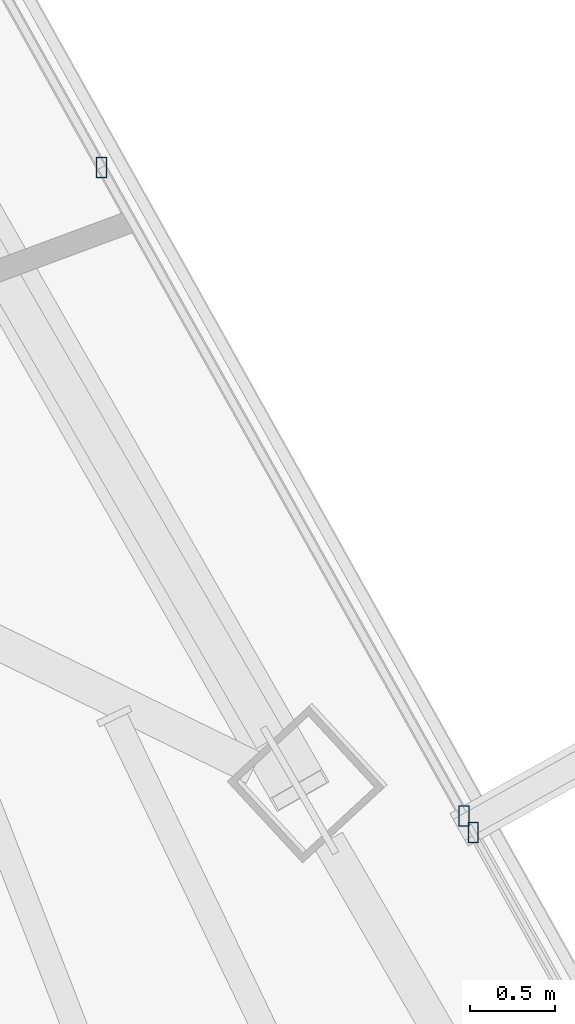
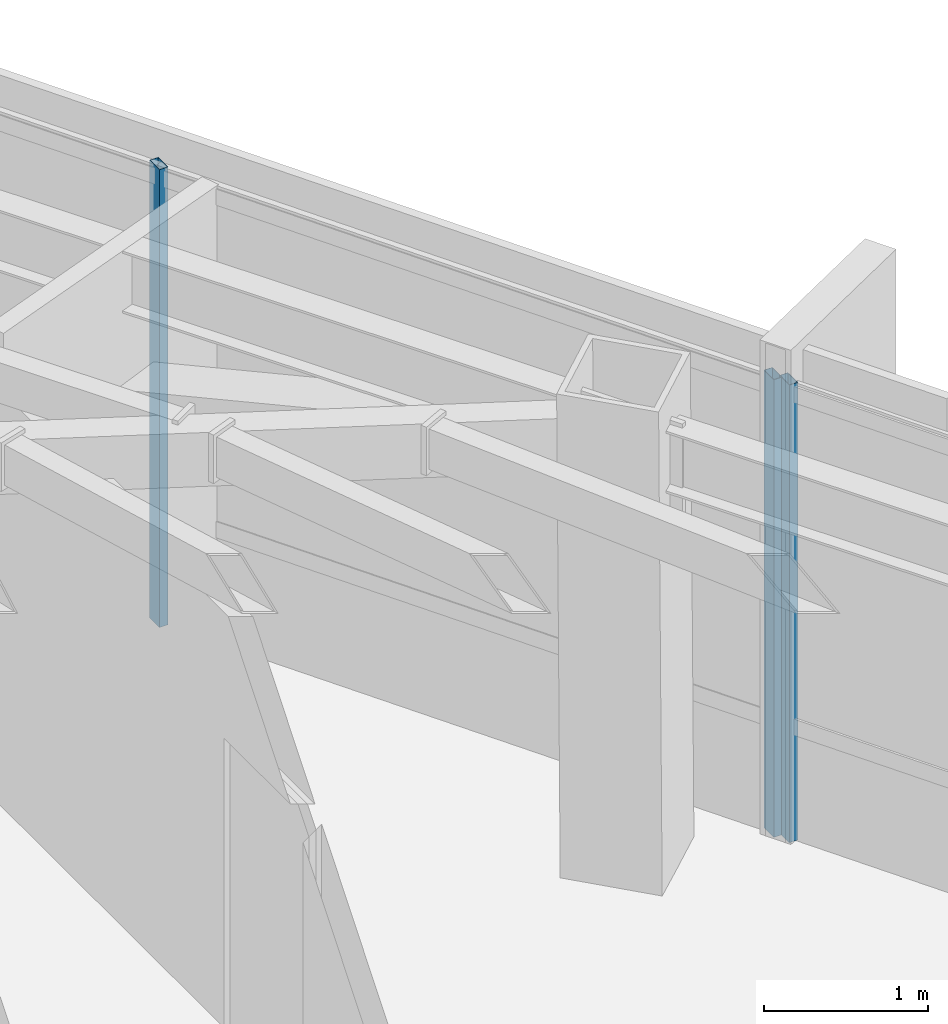
# One storey, part 28 of 45: 3 members, 2 elements without a shape of their own.
"""IFC4 building model written with IfcOpenShell, lengths in metres."""

from ifc_helpers import new_model, si_unit, direction, frame, origin, origin_2d, place, context, subcontext, project, spatial, hollow_rectangle, extrude, source, transform, mapped, material, material_profile, profile_set, type_object, type_shapes, element, aggregate, save


model = new_model("IFC4")

# Units and contexts
model_context = context("Model", 3, precision=1e-05, world=origin(), true_north=direction((0.0, 1.0)))
body_context = subcontext(model_context, "Body", "Model", "MODEL_VIEW")
ifc_project = project(units=[si_unit("LENGTHUNIT", "METRE"), si_unit("AREAUNIT", "SQUARE_METRE"), si_unit("VOLUMEUNIT", "CUBIC_METRE"), si_unit("PLANEANGLEUNIT", "RADIAN"), si_unit("MASSUNIT", "GRAM", prefix="KILO")], contexts=[model_context])

# Site, building, storey
site_placement = place(None, origin())
site = spatial("IfcSite", under=ifc_project, at=site_placement, CompositionType="ELEMENT")
building_placement = place(site_placement, origin())
building = spatial("IfcBuilding", under=site, at=building_placement, Name="Caelisora Broadcast Tower", CompositionType="ELEMENT")
storey_placement = place(building_placement, frame((0.0, 0.0, 262.699951171875)))
storey = spatial("IfcBuildingStorey", under=building, at=storey_placement, Name="L69", CompositionType="ELEMENT", Elevation=262.699951171875)

# Curtain wall, members
ifc_material_1 = material(Name="Unitised Aluminium Insulated Shadow-Box Spandrel Curtain Wall", Category="aluminium")
curtain_wall_type_1 = type_object("IfcCurtainWallType", Name="CW-SP3", PredefinedType="NOTDEFINED", material=ifc_material_1)
curtain_wall_1_placement = place(storey_placement, origin())
curtain_wall_1 = element("IfcCurtainWall", 1, at=curtain_wall_1_placement, inside=storey, type_object=curtain_wall_type_1, Name="L69 curtain wall CW-SP3", PredefinedType="NOTDEFINED")
ifc_material_2 = material(Name="Aluminium 6063-T6 Anodised Terracotta Bronze", Category="aluminium")
ifc_material_profile = material_profile(ifc_material_2, hollow_rectangle(XDim=0.06005859375, YDim=0.1201171875, WallThickness=0.0029296875, at=origin_2d()), Name="Aluminium 6063-T6 Anodised Terracotta Bronze")
ifc_profile_set = profile_set([ifc_material_profile], Name="Aluminium 6063-T6 Anodised Terracotta Bronze")
member_type = type_object("IfcMemberType", Name="CWM-04", PredefinedType="MULLION", material=ifc_profile_set)
shared_shape = source(origin(), body_context, "Body", "SweptSolid", [
    extrude(hollow_rectangle(XDim=0.06005859375, YDim=0.1201171875, WallThickness=0.0029296875, at=origin_2d()), origin(), (0.0, 0.0, 1.0), 3.400146484375),
])
type_shapes(member_type, [shared_shape])
member_1_placement = place(storey_placement, frame((52.347900390625, 29.730224609375, 0.0), z_axis=(0.0, 0.0, 1.0), x_axis=(1.0, 0.0, 0.0)))
member_1 = element("IfcMember", 2, at=member_1_placement, type_object=member_type, Name="L69-CW-B02 mullion #2", PredefinedType="MULLION", context=body_context, shape_type="MappedRepresentation", body=[
    mapped(shared_shape, transform((0.0, 0.0, 0.0), scale=1.0)),
])
member_2_placement = place(storey_placement, frame((54.470703125, 25.931640625, 0.0), z_axis=(0.0, 0.0, 1.0), x_axis=(1.0, 0.0, 0.0)))
member_2 = element("IfcMember", 3, at=member_2_placement, type_object=member_type, Name="L69-CW-B02 mullion #3", PredefinedType="MULLION", context=body_context, shape_type="MappedRepresentation", body=[
    mapped(shared_shape, transform((0.0, 0.0, 0.0), scale=1.0)),
])
aggregate(curtain_wall_1, [member_1, member_2])

# Curtain wall, member
ifc_material_3 = material(Name="Unitised Aluminium and Low-E Glass Curtain Wall", Category="glass")
curtain_wall_type_2 = type_object("IfcCurtainWallType", Name="CW-Z5", PredefinedType="NOTDEFINED", material=ifc_material_3)
curtain_wall_2_placement = place(storey_placement, origin())
curtain_wall_2 = element("IfcCurtainWall", 4, at=curtain_wall_2_placement, inside=storey, type_object=curtain_wall_type_2, Name="L69 curtain wall CW-Z5", PredefinedType="NOTDEFINED")
member_3_placement = place(storey_placement, frame((54.5244140625, 25.835693359375, 0.0), z_axis=(0.0, 0.0, 1.0), x_axis=(1.0, 0.0, 0.0)))
member_3 = element("IfcMember", 5, at=member_3_placement, type_object=member_type, Name="L69-CW-B03 mullion #0", PredefinedType="MULLION", context=body_context, shape_type="MappedRepresentation", body=[
    mapped(shared_shape, transform((0.0, 0.0, 0.0), scale=1.0)),
])
aggregate(curtain_wall_2, [member_3])

save(model, "model.ifc")
